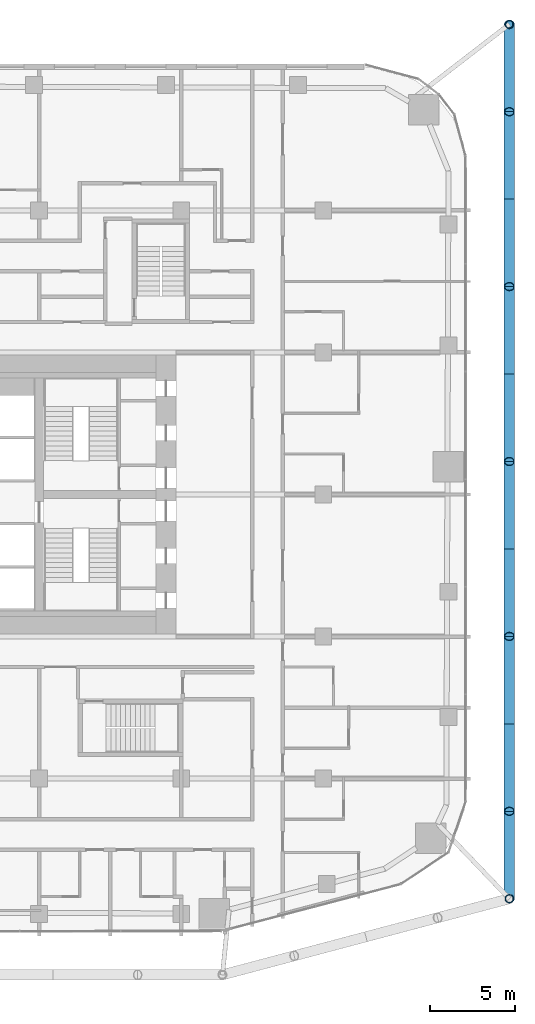
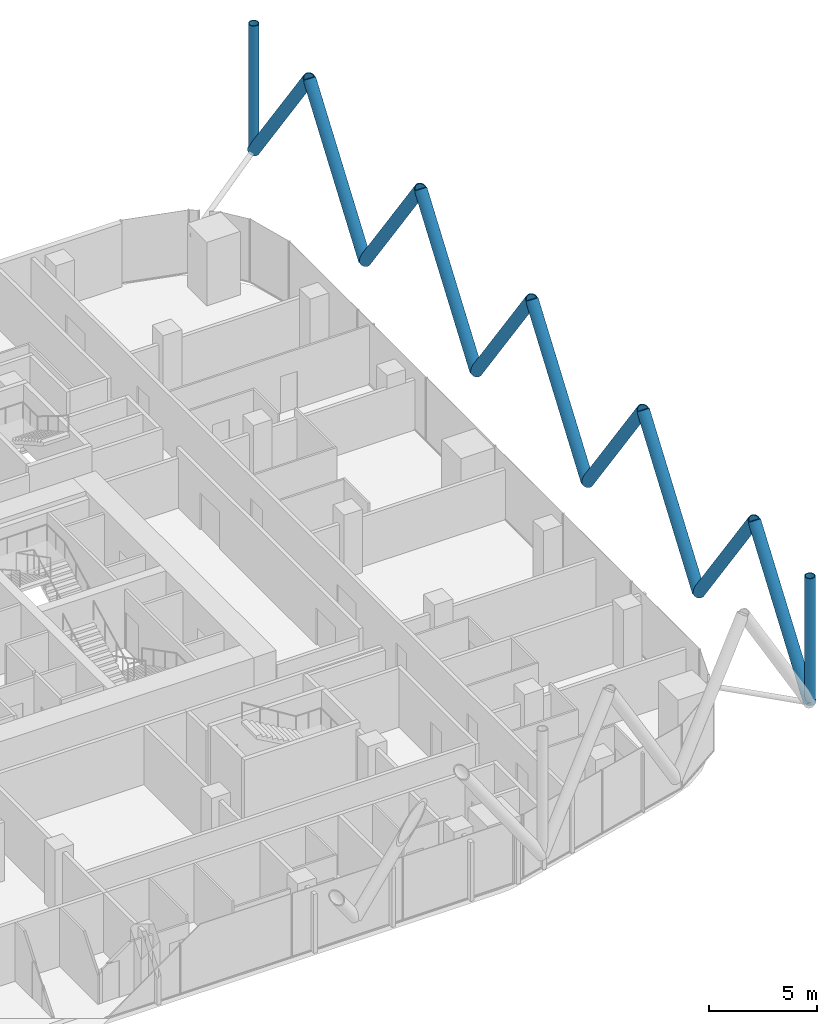
# One storey, part 15 of 34: 12 members.
"""IFC4 building model written with IfcOpenShell, lengths in metres."""

from ifc_helpers import new_model, si_unit, direction, frame, origin, origin_2d, place, context, subcontext, project, spatial, hollow_circle, extrude, material, material_profile, profile_set, type_object, element, save


model = new_model("IFC4")

# Units and contexts
model_context = context("Model", 3, precision=1e-05, world=origin(), true_north=direction((0.0, 1.0)))
body_context = subcontext(model_context, "Body", "Model", "MODEL_VIEW")
ifc_project = project(units=[si_unit("LENGTHUNIT", "METRE"), si_unit("AREAUNIT", "SQUARE_METRE"), si_unit("VOLUMEUNIT", "CUBIC_METRE"), si_unit("PLANEANGLEUNIT", "RADIAN"), si_unit("MASSUNIT", "GRAM", prefix="KILO")], contexts=[model_context])

# Site, building, storey
site_placement = place(None, origin())
site = spatial("IfcSite", under=ifc_project, at=site_placement, CompositionType="ELEMENT")
building_placement = place(site_placement, origin())
building = spatial("IfcBuilding", under=site, at=building_placement, Name="Marenta Gate Hotel Tower", CompositionType="ELEMENT")
storey_placement = place(building_placement, frame((0.0, 0.0, 76.10009765625)))
storey = spatial("IfcBuildingStorey", under=building, at=storey_placement, Name="L17", CompositionType="ELEMENT", Elevation=76.10009765625)

# Members
ifc_material_1 = material(Name="Steel S355J2W", Category="steel")
ifc_material_profile_1 = material_profile(ifc_material_1, hollow_circle(Radius=0.25390625, WallThickness=0.0400390625, at=origin_2d()), Name="CHS 508x40")
ifc_profile_set_1 = profile_set([ifc_material_profile_1], Name="Steel S355J2W")
member_type_1 = type_object("IfcMemberType", Name="Diagrid corner post Z1 CHS 508x40", PredefinedType="POST", material=ifc_profile_set_1)
for number, where, z_axis, x_axis, name in (
    (1, (32.0, 36.199951171875, 3.139892578125), (0.0, 0.0, 1.0), (1.0, 0.0, 0.0), "L17-DR-1"),
    (2, (32.0, -15.500244140625, 3.139892578125), (0.0, 0.0, 1.0), (1.0, 0.0, 0.0), "L17-DR-2"),
):
    element("IfcMember", number, at=place(storey_placement, frame(where, z_axis=z_axis, x_axis=x_axis)), inside=storey, type_object=member_type_1, Name=name, PredefinedType="POST", context=body_context, shape_type="SweptSolid", body=[
        extrude(hollow_circle(Radius=0.25390625, WallThickness=0.0400390625, at=origin_2d()), origin(), (0.0, 0.0, 1.0), 7.199951171875),
    ])
ifc_material_2 = material(Name="Steel S355J2W", Category="steel")
ifc_material_profile_2 = material_profile(ifc_material_2, hollow_circle(Radius=0.304931640625, WallThickness=0.0400390625, at=origin_2d()), Name="CHS 610x40")
ifc_profile_set_2 = profile_set([ifc_material_profile_2], Name="Steel S355J2W")
member_type_2 = type_object("IfcMemberType", Name="Diagrid diagonal Z1 CHS 610x40", PredefinedType="BRACE", material=ifc_profile_set_2)
for number, where, z_axis, x_axis, name in (
    (3, (32.0, 36.199951171875, 3.139892578125), (0.0, -0.583260841117, 0.812284919975), (1.0, 0.0, 0.0), "L17-DG-1"),
    (4, (32.0, 25.860107421875, 3.139892578125), (0.0, 0.583260841117, 0.812284919975), (-1.0, 0.0, 0.0), "L17-DG-2"),
):
    element("IfcMember", number, at=place(storey_placement, frame(where, z_axis=z_axis, x_axis=x_axis)), inside=storey, type_object=member_type_2, Name=name, PredefinedType="BRACE", context=body_context, shape_type="SweptSolid", body=[
        extrude(hollow_circle(Radius=0.304931640625, WallThickness=0.0400390625, at=origin_2d()), origin(), (0.0, 0.0, 1.0), 8.86376953125),
    ])
member_1_placement = place(storey_placement, frame((32.0, 25.860107421875, 3.139892578125), z_axis=(0.0, -0.583279014058, 0.812271870595), x_axis=(1.0, 0.0, 0.0)))
element("IfcMember", 5, at=member_1_placement, inside=storey, type_object=member_type_2, Name="L17-DG-3", PredefinedType="BRACE", context=body_context, shape_type="SweptSolid", body=[
    extrude(hollow_circle(Radius=0.304931640625, WallThickness=0.0400390625, at=origin_2d()), origin(), (0.0, 0.0, 1.0), 8.864013671875),
])
member_2_placement = place(storey_placement, frame((32.0, 15.52001953125, 3.139892578125), z_axis=(0.0, 0.583260841117, 0.812284919975), x_axis=(-1.0, 0.0, 0.0)))
element("IfcMember", 6, at=member_2_placement, inside=storey, type_object=member_type_2, Name="L17-DG-4", PredefinedType="BRACE", context=body_context, shape_type="SweptSolid", body=[
    extrude(hollow_circle(Radius=0.304931640625, WallThickness=0.0400390625, at=origin_2d()), origin(), (0.0, 0.0, 1.0), 8.86376953125),
])
member_3_placement = place(storey_placement, frame((32.0, 15.52001953125, 3.139892578125), z_axis=(0.0, -0.583279014058, 0.812271870595), x_axis=(1.0, 0.0, 0.0)))
element("IfcMember", 7, at=member_3_placement, inside=storey, type_object=member_type_2, Name="L17-DG-5", PredefinedType="BRACE", context=body_context, shape_type="SweptSolid", body=[
    extrude(hollow_circle(Radius=0.304931640625, WallThickness=0.0400390625, at=origin_2d()), origin(), (0.0, 0.0, 1.0), 8.864013671875),
])
for number, where, z_axis, x_axis, name in (
    (8, (32.0, 5.179931640625, 3.139892578125), (0.0, 0.583260841117, 0.812284919975), (-1.0, 0.0, 0.0), "L17-DG-6"),
    (9, (32.0, 5.179931640625, 3.139892578125), (0.0, -0.583260841117, 0.812284919975), (1.0, 0.0, 0.0), "L17-DG-7"),
):
    element("IfcMember", number, at=place(storey_placement, frame(where, z_axis=z_axis, x_axis=x_axis)), inside=storey, type_object=member_type_2, Name=name, PredefinedType="BRACE", context=body_context, shape_type="SweptSolid", body=[
        extrude(hollow_circle(Radius=0.304931640625, WallThickness=0.0400390625, at=origin_2d()), origin(), (0.0, 0.0, 1.0), 8.86376953125),
    ])
member_4_placement = place(storey_placement, frame((32.0, -5.16015625, 3.139892578125), z_axis=(0.0, 0.583279014058, 0.812271870595), x_axis=(-1.0, 0.0, 0.0)))
element("IfcMember", 10, at=member_4_placement, inside=storey, type_object=member_type_2, Name="L17-DG-8", PredefinedType="BRACE", context=body_context, shape_type="SweptSolid", body=[
    extrude(hollow_circle(Radius=0.304931640625, WallThickness=0.0400390625, at=origin_2d()), origin(), (0.0, 0.0, 1.0), 8.864013671875),
])
member_5_placement = place(storey_placement, frame((32.0, -5.16015625, 3.139892578125), z_axis=(0.0, -0.583260841117, 0.812284919975), x_axis=(1.0, 0.0, 0.0)))
element("IfcMember", 11, at=member_5_placement, inside=storey, type_object=member_type_2, Name="L17-DG-9", PredefinedType="BRACE", context=body_context, shape_type="SweptSolid", body=[
    extrude(hollow_circle(Radius=0.304931640625, WallThickness=0.0400390625, at=origin_2d()), origin(), (0.0, 0.0, 1.0), 8.86376953125),
])
member_6_placement = place(storey_placement, frame((32.0, -15.500244140625, 3.139892578125), z_axis=(0.0, 0.583279014058, 0.812271870595), x_axis=(-1.0, 0.0, 0.0)))
element("IfcMember", 12, at=member_6_placement, inside=storey, type_object=member_type_2, Name="L17-DG-10", PredefinedType="BRACE", context=body_context, shape_type="SweptSolid", body=[
    extrude(hollow_circle(Radius=0.304931640625, WallThickness=0.0400390625, at=origin_2d()), origin(), (0.0, 0.0, 1.0), 8.864013671875),
])

save(model, "model.ifc")
